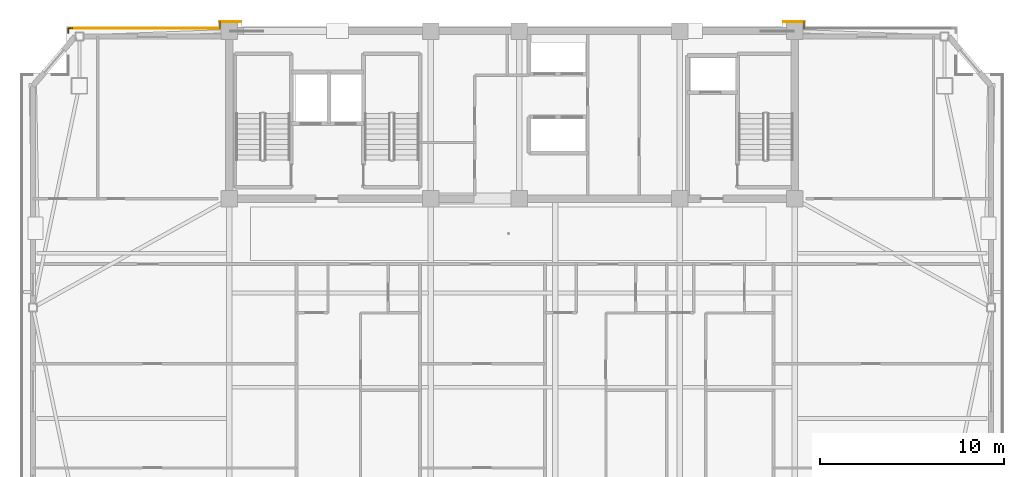
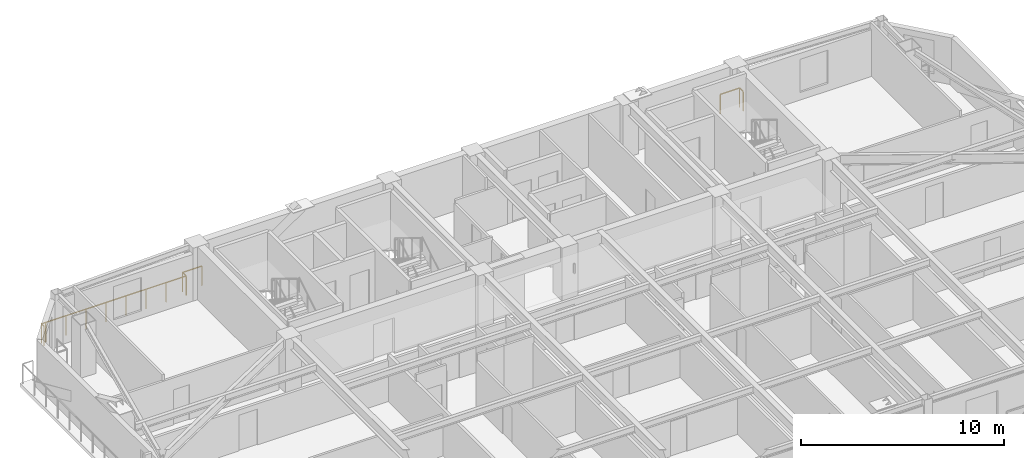
# One storey, part 16 of 17: 7 railings.
"""IFC4 building model written with IfcOpenShell, lengths in metres."""

from ifc_helpers import new_model, si_unit, direction, frame, origin, origin_2d, place, context, subcontext, project, spatial, rectangle, extrude, material, type_object, element, save


model = new_model("IFC4")

# Units and contexts
model_context = context("Model", 3, precision=1e-05, world=origin(), true_north=direction((0.0, 1.0)))
body_context = subcontext(model_context, "Body", "Model", "MODEL_VIEW")
ifc_project = project(units=[si_unit("LENGTHUNIT", "METRE"), si_unit("AREAUNIT", "SQUARE_METRE"), si_unit("VOLUMEUNIT", "CUBIC_METRE"), si_unit("PLANEANGLEUNIT", "RADIAN"), si_unit("MASSUNIT", "GRAM", prefix="KILO")], contexts=[model_context])

# Site, building, storey
site_placement = place(None, origin())
site = spatial("IfcSite", under=ifc_project, at=site_placement, CompositionType="ELEMENT")
building_placement = place(site_placement, origin())
building = spatial("IfcBuilding", under=site, at=building_placement, Name="Giltprow Tower", CompositionType="ELEMENT")
storey_placement = place(building_placement, frame((0.0, 0.0, 268.89990234375)))
storey = spatial("IfcBuildingStorey", under=building, at=storey_placement, Name="L69", CompositionType="ELEMENT", Elevation=268.89990234375)

# Railings
ifc_material = material(Name="Anodized bronze", Category="metal")
railing_type = type_object("IfcRailingType", Name="RAIL-BALC-GUARD-1200", PredefinedType="BALUSTRADE", material=ifc_material)
railing_1_placement = place(storey_placement, frame((11.116943359375, 46.443115234375, 0.0)))
element("IfcRailing", 1, at=railing_1_placement, inside=storey, type_object=railing_type, Name="L69 Corner Apron Edge Balustrade 17", PredefinedType="BALUSTRADE", context=body_context, shape_type="SweptSolid", body=[
    extrude(rectangle(XDim=0.048095703125, YDim=0.048095703125, at=origin_2d()), frame((0.0, 0.0, 1.17578125), z_axis=(0.0, 1.0, 0.0), x_axis=(-1.0, 0.0, 0.0)), (0.0, 0.0, 1.0), 0.2568359375),
    extrude(rectangle(XDim=0.0419921875, YDim=0.0419921875, at=origin_2d()), origin(), (0.0, 0.0, 1.0), 1.15185546875),
    extrude(rectangle(XDim=0.0419921875, YDim=0.0419921875, at=origin_2d()), frame((0.0, 0.2568359375, 0.0)), (0.0, 0.0, 1.0), 1.15185546875),
])
railing_2_placement = place(storey_placement, frame((11.116943359375, 46.699951171875, 0.0)))
element("IfcRailing", 2, at=railing_2_placement, inside=storey, type_object=railing_type, Name="L69 Corner Apron Edge Balustrade 18", PredefinedType="BALUSTRADE", context=body_context, shape_type="SweptSolid", body=[
    extrude(rectangle(XDim=0.048095703125, YDim=0.048095703125, at=origin_2d()), frame((0.0, 0.0, 1.17578125), z_axis=(1.0, 0.0, 0.0), x_axis=(0.0, 1.0, 0.0)), (0.0, 0.0, 1.0), 0.220947265625),
    extrude(rectangle(XDim=0.0419921875, YDim=0.0419921875, at=origin_2d()), origin(), (0.0, 0.0, 1.0), 1.15185546875),
    extrude(rectangle(XDim=0.0419921875, YDim=0.0419921875, at=origin_2d()), frame((0.220947265625, 0.0, 0.0)), (0.0, 0.0, 1.0), 1.15185546875),
])
railing_3_placement = place(storey_placement, frame((11.366943359375, 46.699951171875, 0.0)))
element("IfcRailing", 3, at=railing_3_placement, inside=storey, type_object=railing_type, Name="L69 Corner Apron Edge Balustrade 19", PredefinedType="BALUSTRADE", context=body_context, shape_type="SweptSolid", body=[
    extrude(rectangle(XDim=0.048095703125, YDim=0.048095703125, at=origin_2d()), frame((0.0, 0.0, 1.17578125), z_axis=(1.0, 0.0, 0.0), x_axis=(0.0, 1.0, 0.0)), (0.0, 0.0, 1.0), 7.983154296875),
    extrude(rectangle(XDim=0.0419921875, YDim=0.0419921875, at=origin_2d()), origin(), (0.0, 0.0, 1.0), 1.15185546875),
    extrude(rectangle(XDim=0.0419921875, YDim=0.0419921875, at=origin_2d()), frame((1.140380859375, 0.0, 0.0)), (0.0, 0.0, 1.0), 1.15185546875),
    extrude(rectangle(XDim=0.0419921875, YDim=0.0419921875, at=origin_2d()), frame((2.281005859375, 0.0, 0.0)), (0.0, 0.0, 1.0), 1.15185546875),
    extrude(rectangle(XDim=0.0419921875, YDim=0.0419921875, at=origin_2d()), frame((3.42138671875, 0.0, 0.0)), (0.0, 0.0, 1.0), 1.15185546875),
    extrude(rectangle(XDim=0.0419921875, YDim=0.0419921875, at=origin_2d()), frame((4.561767578125, 0.0, 0.0)), (0.0, 0.0, 1.0), 1.15185546875),
    extrude(rectangle(XDim=0.0419921875, YDim=0.0419921875, at=origin_2d()), frame((5.7021484375, 0.0, 0.0)), (0.0, 0.0, 1.0), 1.15185546875),
    extrude(rectangle(XDim=0.0419921875, YDim=0.0419921875, at=origin_2d()), frame((6.8427734375, 0.0, 0.0)), (0.0, 0.0, 1.0), 1.15185546875),
    extrude(rectangle(XDim=0.0419921875, YDim=0.0419921875, at=origin_2d()), frame((7.983154296875, 0.0, 0.0)), (0.0, 0.0, 1.0), 1.15185546875),
])
railing_4_placement = place(storey_placement, frame((19.35009765625, 46.699951171875, 0.0)))
element("IfcRailing", 4, at=railing_4_placement, inside=storey, type_object=railing_type, Name="L69 Corner Apron Edge Balustrade 20", PredefinedType="BALUSTRADE", context=body_context, shape_type="SweptSolid", body=[
    extrude(rectangle(XDim=0.048095703125, YDim=0.048095703125, at=origin_2d()), frame((0.0, 0.0, 1.17578125), z_axis=(0.0, 1.0, 0.0), x_axis=(-1.0, 0.0, 0.0)), (0.0, 0.0, 1.0), 0.35009765625),
    extrude(rectangle(XDim=0.0419921875, YDim=0.0419921875, at=origin_2d()), origin(), (0.0, 0.0, 1.0), 1.15185546875),
    extrude(rectangle(XDim=0.0419921875, YDim=0.0419921875, at=origin_2d()), frame((0.0, 0.35009765625, 0.0)), (0.0, 0.0, 1.0), 1.15185546875),
])
railing_5_placement = place(storey_placement, frame((19.35009765625, 47.050048828125, 0.0)))
element("IfcRailing", 5, at=railing_5_placement, inside=storey, type_object=railing_type, Name="L69 Corner Apron Edge Balustrade 21", PredefinedType="BALUSTRADE", context=body_context, shape_type="SweptSolid", body=[
    extrude(rectangle(XDim=0.048095703125, YDim=0.048095703125, at=origin_2d()), frame((0.0, 0.0, 1.17578125), z_axis=(1.0, 0.0, 0.0), x_axis=(0.0, 1.0, 0.0)), (0.0, 0.0, 1.0), 1.099853515625),
    extrude(rectangle(XDim=0.0419921875, YDim=0.0419921875, at=origin_2d()), origin(), (0.0, 0.0, 1.0), 1.15185546875),
    extrude(rectangle(XDim=0.0419921875, YDim=0.0419921875, at=origin_2d()), frame((1.099853515625, 0.0, 0.0)), (0.0, 0.0, 1.0), 1.15185546875),
])
railing_6_placement = place(storey_placement, frame((49.949951171875, 47.050048828125, 0.0)))
element("IfcRailing", 6, at=railing_6_placement, inside=storey, type_object=railing_type, Name="L69 Corner Apron Edge Balustrade 22", PredefinedType="BALUSTRADE", context=body_context, shape_type="SweptSolid", body=[
    extrude(rectangle(XDim=0.048095703125, YDim=0.048095703125, at=origin_2d()), frame((0.0, 0.0, 1.17578125), z_axis=(1.0, 0.0, 0.0), x_axis=(0.0, 1.0, 0.0)), (0.0, 0.0, 1.0), 1.10009765625),
    extrude(rectangle(XDim=0.0419921875, YDim=0.0419921875, at=origin_2d()), origin(), (0.0, 0.0, 1.0), 1.15185546875),
    extrude(rectangle(XDim=0.0419921875, YDim=0.0419921875, at=origin_2d()), frame((1.10009765625, 0.0, 0.0)), (0.0, 0.0, 1.0), 1.15185546875),
])
railing_7_placement = place(storey_placement, frame((51.050048828125, 47.050048828125, 0.0)))
element("IfcRailing", 7, at=railing_7_placement, inside=storey, type_object=railing_type, Name="L69 Corner Apron Edge Balustrade 23", PredefinedType="BALUSTRADE", context=body_context, shape_type="SweptSolid", body=[
    extrude(rectangle(XDim=0.048095703125, YDim=0.048095703125, at=origin_2d()), frame((0.0, 0.0, 1.17578125), z_axis=(0.0, -1.0, 0.0), x_axis=(1.0, 0.0, 0.0)), (0.0, 0.0, 1.0), 0.35009765625),
    extrude(rectangle(XDim=0.0419921875, YDim=0.0419921875, at=origin_2d()), origin(), (0.0, 0.0, 1.0), 1.15185546875),
    extrude(rectangle(XDim=0.0419921875, YDim=0.0419921875, at=origin_2d()), frame((0.0, -0.35009765625, 0.0)), (0.0, 0.0, 1.0), 1.15185546875),
])

save(model, "model.ifc")
